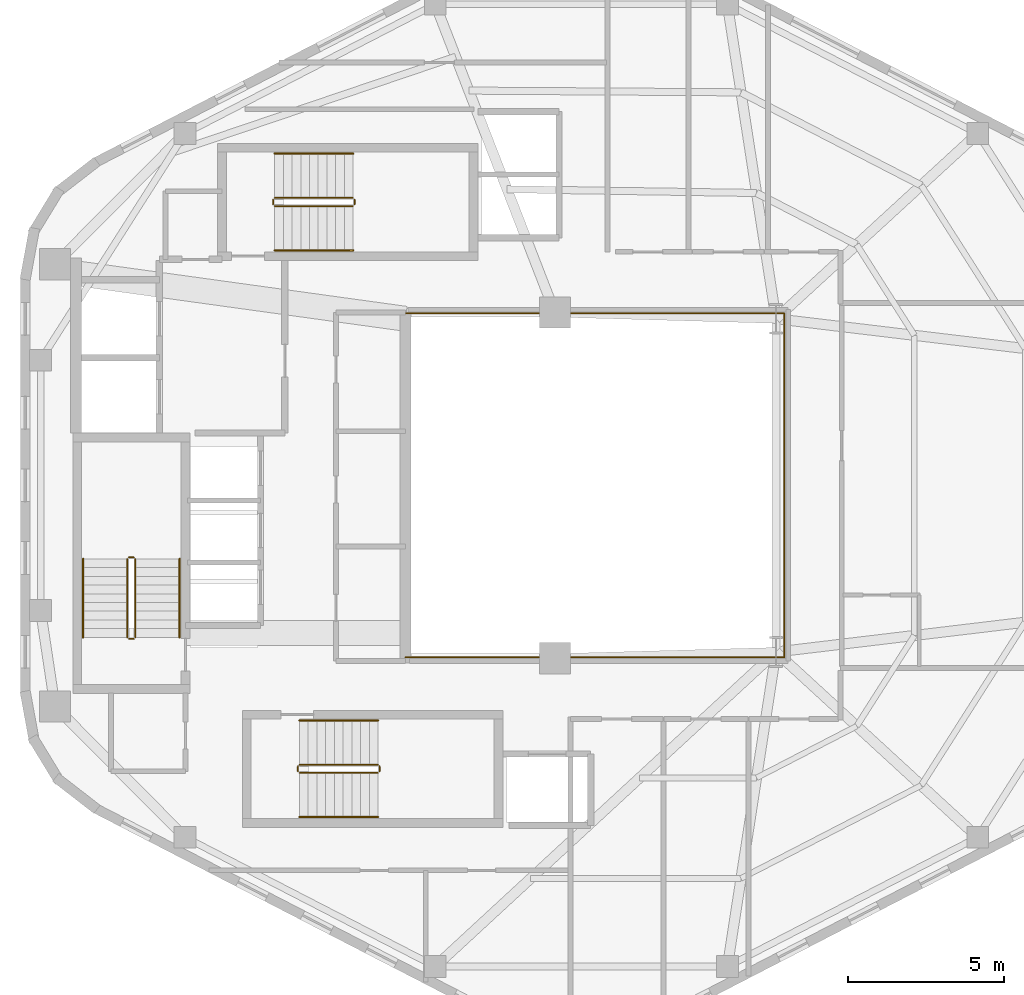
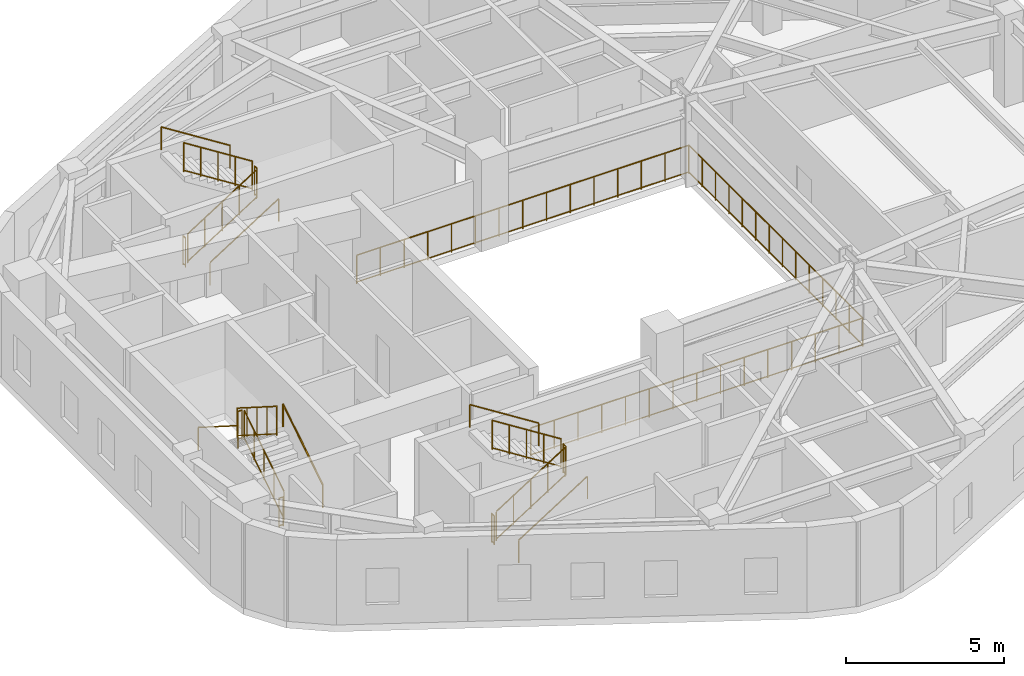
# One storey, part 6 of 6: 19 railings.
"""IFC4 building model written with IfcOpenShell, lengths in metres."""

import ifcopenshell
import ifcopenshell.guid

model = None  # the IFC model being written
_history = None  # IfcOwnerHistory: only IFC2X3 demands one
_inside = {}  # id of a spatial element -> (the spatial element, [elements in it])
_under = {}  # id of a project, library or spatial element -> (it, [spatial elements below it])
_declared = {}  # id of a project -> (the project, [libraries it declares])
_typed = {}  # id of a type object -> (the type object, [elements of that type])
_made_of = {}  # id of a material, layer set ... -> (it, [elements and type objects made of it])


def new_model(schema):
    """Start an empty IFC model of exactly this schema.

    Asked for "IFC4X3", IfcOpenShell would pick the latest addendum, in which some entities
    have other attributes; the version numbers below select the first issue.
    IFC2X3 requires an IfcOwnerHistory on every rooted entity: one is made here for all.
    """
    global model, _history
    if schema == "IFC4X3":
        model = ifcopenshell.file(schema_version=(4, 3, 0, 0))
    else:
        model = ifcopenshell.file(schema=schema)
    _inside.clear()
    _under.clear()
    _declared.clear()
    _typed.clear()
    _made_of.clear()
    _history = None
    if model.schema == "IFC2X3":
        org = make("IfcOrganization", Name="unknown")
        user = make(
            "IfcPersonAndOrganization",
            ThePerson=make("IfcPerson", FamilyName="unknown"),
            TheOrganization=org,
        )
        app = make(
            "IfcApplication",
            ApplicationDeveloper=org,
            Version="unknown",
            ApplicationFullName="unknown",
            ApplicationIdentifier="unknown",
        )
        _history = make(
            "IfcOwnerHistory",
            OwningUser=user,
            OwningApplication=app,
            ChangeAction="ADDED",
            CreationDate=0,
        )
    return model


def make(cls, **values):
    """One entity of the class cls with the attributes given. An attribute that is None is left unset."""
    return model.create_entity(
        cls, **{name: value for name, value in values.items() if value is not None}
    )


def rooted(cls, **values):
    """An entity with a GlobalId (a new one), such as an element, a storey or a relation."""
    return make(cls, GlobalId=ifcopenshell.guid.new(), OwnerHistory=_history, **values)


def si_unit(unit_type, name, prefix=None):
    """IfcSIUnit, for example si_unit("LENGTHUNIT", "METRE", prefix="MILLI")."""
    return make("IfcSIUnit", UnitType=unit_type, Prefix=prefix, Name=name)


def assignment(units):
    """IfcUnitAssignment: the units of a project."""
    return None if units is None else make("IfcUnitAssignment", Units=units)


def point(xyz):
    """IfcCartesianPoint."""
    return None if xyz is None else make("IfcCartesianPoint", Coordinates=xyz)


def direction(xyz):
    """IfcDirection."""
    return None if xyz is None else make("IfcDirection", DirectionRatios=xyz)


def frame(location, z_axis=None, x_axis=None):
    """IfcAxis2Placement3D, a coordinate frame: its origin and axes. An axis left out is left unset."""
    return make(
        "IfcAxis2Placement3D",
        Location=point(location),
        Axis=direction(z_axis),
        RefDirection=direction(x_axis),
    )


def frame_2d(location, x_axis=None):
    """IfcAxis2Placement2D, a coordinate frame in the plane: its origin and x axis."""
    return make(
        "IfcAxis2Placement2D", Location=point(location), RefDirection=direction(x_axis)
    )


def origin():
    """The frame at (0, 0, 0) with its axes left unset."""
    return frame((0.0, 0.0, 0.0))


def origin_2d():
    """The frame at (0, 0) in the plane with its x axis left unset."""
    return frame_2d((0.0, 0.0))


def place(relative_to, where):
    """IfcLocalPlacement: puts the frame where relative to a parent placement (None: the world)."""
    return make(
        "IfcLocalPlacement", PlacementRelTo=relative_to, RelativePlacement=where
    )


def context(
    kind, dimensions, precision=None, world=None, true_north=None, identifier=None
):
    """IfcGeometricRepresentationContext, for example the 3D "Model" context."""
    return make(
        "IfcGeometricRepresentationContext",
        ContextIdentifier=identifier,
        ContextType=kind,
        CoordinateSpaceDimension=dimensions,
        Precision=precision,
        WorldCoordinateSystem=world,
        TrueNorth=true_north,
    )


def subcontext(parent, identifier, kind, view, scale=None):
    """IfcGeometricRepresentationSubContext, for example "Body" below "Model"."""
    return make(
        "IfcGeometricRepresentationSubContext",
        ContextIdentifier=identifier,
        ContextType=kind,
        ParentContext=parent,
        TargetScale=scale,
        TargetView=view,
    )


def project(units=None, contexts=None):
    """IfcProject with its units and contexts."""
    return rooted(
        "IfcProject",
        Name="project",
        RepresentationContexts=contexts,
        UnitsInContext=assignment(units),
    )


def spatial(cls, under=None, at=None, **own):
    """A site, building, storey or space (cls), placed at a placement, below another one or the project."""
    s = rooted(cls, ObjectPlacement=at, **own)
    if under is not None:
        _under.setdefault(under.id(), (under, []))[1].append(s)
    return s


def profile(cls, at=None, kind="AREA", **sizes):
    """A parametric profile (cls). Its sizes go by their IFC names, for example OverallWidth=200.0."""
    return make(cls, ProfileType=kind, Position=at, **sizes)


def circle(**sizes):
    """IfcCircleProfileDef."""
    return profile("IfcCircleProfileDef", **sizes)


def extrude(swept, where, along, depth):
    """IfcExtrudedAreaSolid: the profile swept, set in the frame where, extruded along a direction by depth."""
    return make(
        "IfcExtrudedAreaSolid",
        SweptArea=swept,
        Position=where,
        ExtrudedDirection=direction(along),
        Depth=depth,
    )


def shape(context_of_items, identifier, shape_type, items):
    """IfcShapeRepresentation: the items that make up one representation, for example the "Body"."""
    return make(
        "IfcShapeRepresentation",
        ContextOfItems=context_of_items,
        RepresentationIdentifier=identifier,
        RepresentationType=shape_type,
        Items=items,
    )


def material(Name=None, Category=None):
    """IfcMaterial."""
    return make("IfcMaterial", Name=Name, Category=Category)


def made_of(thing, what):
    """Note that an element or type object is made of a material, layer set ...; save() writes the relation."""
    if what is not None:
        _made_of.setdefault(what.id(), (what, []))[1].append(thing)
    return thing


def type_object(cls, material=None, **own):
    """A type object (cls), such as IfcWallType, which elements share."""
    return made_of(rooted(cls, **own), material)


def element(
    cls,
    number,
    at=None,
    inside=None,
    cuts=None,
    type_object=None,
    material=None,
    context=None,
    identifier="Body",
    shape_type=None,
    held_by="IfcProductDefinitionShape",
    body=None,
    shapes=None,
    **own,
):
    """One element of the class cls, such as IfcWall. Its Tag is "e" and its number.

    at: its placement. inside: the storey or other place that contains it. cuts: it is an
    opening in that element (IfcRelVoidsElement). A single representation is given by context,
    identifier, shape_type and body (its items); several are given by shapes. held_by: the class
    of the entity that holds the representations. save() writes the other relations.
    """
    e = rooted(cls, Tag="e%d" % number, ObjectPlacement=at, **own)
    if body is not None:
        shapes = [shape(context, identifier, shape_type, body)]
    if shapes is not None:
        e.Representation = make(held_by, Representations=shapes)
    if inside is not None:
        _inside.setdefault(inside.id(), (inside, []))[1].append(e)
    if cuts is not None:
        rooted(
            "IfcRelVoidsElement", RelatingBuildingElement=cuts, RelatedOpeningElement=e
        )
    if type_object is not None:
        _typed.setdefault(type_object.id(), (type_object, []))[1].append(e)
    return made_of(e, material)


def aggregate(whole, parts):
    """IfcRelAggregates: a whole, such as a stair, and the parts it consists of."""
    return rooted("IfcRelAggregates", RelatingObject=whole, RelatedObjects=parts)


def save(model, path):
    """Write the relations noted so far, then the file.

    IfcRelAggregates (storeys below a building ...), IfcRelContainedInSpatialStructure (elements
    in a storey), IfcRelDefinesByType, IfcRelAssociatesMaterial and IfcRelDeclares: one each for
    every whole, place, type object, material and project.
    """
    for whole, parts in _under.values():
        aggregate(whole, parts)
    for where, things in _inside.values():
        rooted(
            "IfcRelContainedInSpatialStructure",
            RelatedElements=things,
            RelatingStructure=where,
        )
    for kind, things in _typed.values():
        rooted("IfcRelDefinesByType", RelatedObjects=things, RelatingType=kind)
    for what, things in _made_of.values():
        rooted("IfcRelAssociatesMaterial", RelatedObjects=things, RelatingMaterial=what)
    for by, libraries in _declared.values():
        rooted("IfcRelDeclares", RelatingContext=by, RelatedDefinitions=libraries)
    model.write(path)


model = new_model("IFC4")

# Units and contexts
model_context = context("Model", 3, precision=1e-05, world=origin(), true_north=direction((0.0, 1.0)))
body_context = subcontext(model_context, "Body", "Model", "MODEL_VIEW")
ifc_project = project(units=[si_unit("LENGTHUNIT", "METRE"), si_unit("AREAUNIT", "SQUARE_METRE"), si_unit("VOLUMEUNIT", "CUBIC_METRE"), si_unit("PLANEANGLEUNIT", "RADIAN"), si_unit("MASSUNIT", "GRAM", prefix="KILO"), si_unit("THERMODYNAMICTEMPERATUREUNIT", "KELVIN"), si_unit("POWERUNIT", "WATT")], contexts=[model_context])

# Site, building, storey
site_placement = place(None, origin())
site = spatial("IfcSite", under=ifc_project, at=site_placement, CompositionType="ELEMENT")
building_placement = place(site_placement, origin())
building = spatial("IfcBuilding", under=site, at=building_placement, Name="Skarre Station Tower", CompositionType="ELEMENT")
storey_placement = place(building_placement, frame((0.0, 0.0, 259.64990234375)))
storey = spatial("IfcBuildingStorey", under=building, at=storey_placement, Name="L71", CompositionType="ELEMENT", Elevation=259.64990234375)

# Railings
ifc_material_1 = material(Name="Bronze Anodized Steel & Laminated Glass Balustrade", Category="steel")
railing_type_1 = type_object("IfcRailingType", Name="Atrium Void & Mezzanine Guard Balustrade 1120", PredefinedType="GUARDRAIL", material=ifc_material_1)
railing_1_placement = place(storey_placement, frame((27.550048828125, 18.47998046875, 0.0)))
element("IfcRailing", 1, at=railing_1_placement, inside=storey, type_object=railing_type_1, Name="L71 Atrium Void Guard Balustrade", PredefinedType="GUARDRAIL", context=body_context, shape_type="SweptSolid", body=[
    extrude(circle(Radius=0.02392578125, at=origin_2d()), frame((0.0, 0.0, 1.09619140625), z_axis=(1.0, 0.0, 0.0), x_axis=(0.0, 1.0, 0.0)), (0.0, 0.0, 1.0), 12.169921875),
    extrude(circle(Radius=0.02099609375, at=origin_2d()), frame((0.0, 0.0, 0.06005859375), z_axis=(1.0, 0.0, 0.0), x_axis=(0.0, 1.0, 0.0)), (0.0, 0.0, 1.0), 12.169921875),
    extrude(circle(Radius=0.02392578125, at=origin_2d()), frame((12.169921875, 0.0, 1.09619140625), z_axis=(0.0, 1.0, 0.0), x_axis=(-1.0, 0.0, 0.0)), (0.0, 0.0, 1.0), 11.0400390625),
    extrude(circle(Radius=0.02099609375, at=origin_2d()), frame((12.169921875, 0.0, 0.06005859375), z_axis=(0.0, 1.0, 0.0), x_axis=(-1.0, 0.0, 0.0)), (0.0, 0.0, 1.0), 11.0400390625),
    extrude(circle(Radius=0.02392578125, at=origin_2d()), frame((12.169921875, 11.0400390625, 1.09619140625), z_axis=(-1.0, 0.0, 0.0), x_axis=(0.0, -1.0, 0.0)), (0.0, 0.0, 1.0), 12.169921875),
    extrude(circle(Radius=0.02099609375, at=origin_2d()), frame((12.169921875, 11.0400390625, 0.06005859375), z_axis=(-1.0, 0.0, 0.0), x_axis=(0.0, -1.0, 0.0)), (0.0, 0.0, 1.0), 12.169921875),
    extrude(circle(Radius=0.02099609375, at=origin_2d()), origin(), (0.0, 0.0, 1.0), 1.072021484375),
    extrude(circle(Radius=0.02099609375, at=origin_2d()), frame((0.869384765625, 0.0, 0.0)), (0.0, 0.0, 1.0), 1.072021484375),
    extrude(circle(Radius=0.02099609375, at=origin_2d()), frame((1.738525390625, 0.0, 0.0)), (0.0, 0.0, 1.0), 1.072021484375),
    extrude(circle(Radius=0.02099609375, at=origin_2d()), frame((2.60791015625, 0.0, 0.0)), (0.0, 0.0, 1.0), 1.072021484375),
    extrude(circle(Radius=0.02099609375, at=origin_2d()), frame((3.47705078125, 0.0, 0.0)), (0.0, 0.0, 1.0), 1.072021484375),
    extrude(circle(Radius=0.02099609375, at=origin_2d()), frame((4.346435546875, 0.0, 0.0)), (0.0, 0.0, 1.0), 1.072021484375),
    extrude(circle(Radius=0.02099609375, at=origin_2d()), frame((5.215576171875, 0.0, 0.0)), (0.0, 0.0, 1.0), 1.072021484375),
    extrude(circle(Radius=0.02099609375, at=origin_2d()), frame((6.0849609375, 0.0, 0.0)), (0.0, 0.0, 1.0), 1.072021484375),
    extrude(circle(Radius=0.02099609375, at=origin_2d()), frame((6.954345703125, 0.0, 0.0)), (0.0, 0.0, 1.0), 1.072021484375),
    extrude(circle(Radius=0.02099609375, at=origin_2d()), frame((7.823486328125, 0.0, 0.0)), (0.0, 0.0, 1.0), 1.072021484375),
    extrude(circle(Radius=0.02099609375, at=origin_2d()), frame((8.69287109375, 0.0, 0.0)), (0.0, 0.0, 1.0), 1.072021484375),
    extrude(circle(Radius=0.02099609375, at=origin_2d()), frame((9.56201171875, 0.0, 0.0)), (0.0, 0.0, 1.0), 1.072021484375),
    extrude(circle(Radius=0.02099609375, at=origin_2d()), frame((10.431396484375, 0.0, 0.0)), (0.0, 0.0, 1.0), 1.072021484375),
    extrude(circle(Radius=0.02099609375, at=origin_2d()), frame((11.300537109375, 0.0, 0.0)), (0.0, 0.0, 1.0), 1.072021484375),
    extrude(circle(Radius=0.02099609375, at=origin_2d()), frame((12.169921875, 0.0, 0.0)), (0.0, 0.0, 1.0), 1.072021484375),
    extrude(circle(Radius=0.02099609375, at=origin_2d()), frame((12.169921875, 0.84912109375, 0.0)), (0.0, 0.0, 1.0), 1.072021484375),
    extrude(circle(Radius=0.02099609375, at=origin_2d()), frame((12.169921875, 1.698486328125, 0.0)), (0.0, 0.0, 1.0), 1.072021484375),
    extrude(circle(Radius=0.02099609375, at=origin_2d()), frame((12.169921875, 2.547607421875, 0.0)), (0.0, 0.0, 1.0), 1.072021484375),
    extrude(circle(Radius=0.02099609375, at=origin_2d()), frame((12.169921875, 3.39697265625, 0.0)), (0.0, 0.0, 1.0), 1.072021484375),
    extrude(circle(Radius=0.02099609375, at=origin_2d()), frame((12.169921875, 4.24609375, 0.0)), (0.0, 0.0, 1.0), 1.072021484375),
    extrude(circle(Radius=0.02099609375, at=origin_2d()), frame((12.169921875, 5.095458984375, 0.0)), (0.0, 0.0, 1.0), 1.072021484375),
    extrude(circle(Radius=0.02099609375, at=origin_2d()), frame((12.169921875, 5.944580078125, 0.0)), (0.0, 0.0, 1.0), 1.072021484375),
    extrude(circle(Radius=0.02099609375, at=origin_2d()), frame((12.169921875, 6.7939453125, 0.0)), (0.0, 0.0, 1.0), 1.072021484375),
    extrude(circle(Radius=0.02099609375, at=origin_2d()), frame((12.169921875, 7.64306640625, 0.0)), (0.0, 0.0, 1.0), 1.072021484375),
    extrude(circle(Radius=0.02099609375, at=origin_2d()), frame((12.169921875, 8.492431640625, 0.0)), (0.0, 0.0, 1.0), 1.072021484375),
    extrude(circle(Radius=0.02099609375, at=origin_2d()), frame((12.169921875, 9.341552734375, 0.0)), (0.0, 0.0, 1.0), 1.072021484375),
    extrude(circle(Radius=0.02099609375, at=origin_2d()), frame((12.169921875, 10.19091796875, 0.0)), (0.0, 0.0, 1.0), 1.072021484375),
    extrude(circle(Radius=0.02099609375, at=origin_2d()), frame((12.169921875, 11.0400390625, 0.0)), (0.0, 0.0, 1.0), 1.072021484375),
    extrude(circle(Radius=0.02099609375, at=origin_2d()), frame((11.300537109375, 11.0400390625, 0.0)), (0.0, 0.0, 1.0), 1.072021484375),
    extrude(circle(Radius=0.02099609375, at=origin_2d()), frame((10.431396484375, 11.0400390625, 0.0)), (0.0, 0.0, 1.0), 1.072021484375),
    extrude(circle(Radius=0.02099609375, at=origin_2d()), frame((9.56201171875, 11.0400390625, 0.0)), (0.0, 0.0, 1.0), 1.072021484375),
    extrude(circle(Radius=0.02099609375, at=origin_2d()), frame((8.69287109375, 11.0400390625, 0.0)), (0.0, 0.0, 1.0), 1.072021484375),
    extrude(circle(Radius=0.02099609375, at=origin_2d()), frame((7.823486328125, 11.0400390625, 0.0)), (0.0, 0.0, 1.0), 1.072021484375),
    extrude(circle(Radius=0.02099609375, at=origin_2d()), frame((6.954345703125, 11.0400390625, 0.0)), (0.0, 0.0, 1.0), 1.072021484375),
    extrude(circle(Radius=0.02099609375, at=origin_2d()), frame((6.0849609375, 11.0400390625, 0.0)), (0.0, 0.0, 1.0), 1.072021484375),
    extrude(circle(Radius=0.02099609375, at=origin_2d()), frame((5.215576171875, 11.0400390625, 0.0)), (0.0, 0.0, 1.0), 1.072021484375),
    extrude(circle(Radius=0.02099609375, at=origin_2d()), frame((4.346435546875, 11.0400390625, 0.0)), (0.0, 0.0, 1.0), 1.072021484375),
    extrude(circle(Radius=0.02099609375, at=origin_2d()), frame((3.47705078125, 11.0400390625, 0.0)), (0.0, 0.0, 1.0), 1.072021484375),
    extrude(circle(Radius=0.02099609375, at=origin_2d()), frame((2.60791015625, 11.0400390625, 0.0)), (0.0, 0.0, 1.0), 1.072021484375),
    extrude(circle(Radius=0.02099609375, at=origin_2d()), frame((1.738525390625, 11.0400390625, 0.0)), (0.0, 0.0, 1.0), 1.072021484375),
    extrude(circle(Radius=0.02099609375, at=origin_2d()), frame((0.869384765625, 11.0400390625, 0.0)), (0.0, 0.0, 1.0), 1.072021484375),
    extrude(circle(Radius=0.02099609375, at=origin_2d()), frame((0.0, 11.0400390625, 0.0)), (0.0, 0.0, 1.0), 1.072021484375),
])
ifc_material_2 = material(Name="Powder-Coated Tubular Steel", Category="steel")
railing_type_2 = type_object("IfcRailingType", Name="Painted Steel Ramp & Stair Handrail 920", PredefinedType="HANDRAIL", material=ifc_material_2)
railing_2_placement = place(storey_placement, frame((20.300048828125, 19.1201171875, 0.177490234375)))
element("IfcRailing", 2, at=railing_2_placement, inside=storey, type_object=railing_type_2, Name="L71 ST-1 stair handrail 1", PredefinedType="HANDRAIL", context=body_context, shape_type="SweptSolid", body=[
    extrude(circle(Radius=0.02392578125, at=origin_2d()), frame((0.0, 0.0, 0.8759765625), z_axis=(0.0, 0.844546487299, 0.535482241341), x_axis=(-1.0, 0.0, 0.0)), (0.0, 0.0, 1.0), 2.983642578125),
    extrude(circle(Radius=0.02099609375, at=origin_2d()), origin(), (0.0, 0.0, 1.0), 0.851806640625),
    extrude(circle(Radius=0.02099609375, at=origin_2d()), frame((0.0, 2.519775390625, 1.59765625)), (0.0, 0.0, 1.0), 0.851806640625),
])
railing_3_placement = place(storey_placement, frame((17.199951171875, 21.639892578125, 1.95263671875)))
element("IfcRailing", 3, at=railing_3_placement, inside=storey, type_object=railing_type_2, Name="L71 ST-1 stair handrail 2", PredefinedType="HANDRAIL", context=body_context, shape_type="SweptSolid", body=[
    extrude(circle(Radius=0.02392578125, at=origin_2d()), frame((0.0, 0.0, 0.8759765625), z_axis=(0.0, -0.844583492756, 0.535423872987), x_axis=(1.0, 0.0, 0.0)), (0.0, 0.0, 1.0), 2.9833984375),
    extrude(circle(Radius=0.02099609375, at=origin_2d()), origin(), (0.0, 0.0, 1.0), 0.851806640625),
    extrude(circle(Radius=0.02099609375, at=origin_2d()), frame((0.0, -2.519775390625, 1.597412109375)), (0.0, 0.0, 1.0), 0.851806640625),
])
railing_4_placement = place(storey_placement, frame((24.14990234375, 13.35009765625, 0.177490234375)))
element("IfcRailing", 4, at=railing_4_placement, inside=storey, type_object=railing_type_2, Name="L71 ST-2 stair handrail 1", PredefinedType="HANDRAIL", context=body_context, shape_type="SweptSolid", body=[
    extrude(circle(Radius=0.02392578125, at=origin_2d()), frame((0.0, 0.0, 0.8759765625), z_axis=(0.84456994832, 0.0, 0.535445237532), x_axis=(0.0, 1.0, 0.0)), (0.0, 0.0, 1.0), 2.98388671875),
    extrude(circle(Radius=0.02099609375, at=origin_2d()), origin(), (0.0, 0.0, 1.0), 0.851806640625),
    extrude(circle(Radius=0.02099609375, at=origin_2d()), frame((2.52001953125, 0.0, 1.59765625)), (0.0, 0.0, 1.0), 0.851806640625),
])
railing_5_placement = place(storey_placement, frame((26.669921875, 16.449951171875, 1.95263671875)))
element("IfcRailing", 5, at=railing_5_placement, inside=storey, type_object=railing_type_2, Name="L71 ST-2 stair handrail 2", PredefinedType="HANDRAIL", context=body_context, shape_type="SweptSolid", body=[
    extrude(circle(Radius=0.02392578125, at=origin_2d()), frame((0.0, 0.0, 0.8759765625), z_axis=(-0.84460694969, 0.0, 0.535386869969), x_axis=(0.0, -1.0, 0.0)), (0.0, 0.0, 1.0), 2.983642578125),
    extrude(circle(Radius=0.02099609375, at=origin_2d()), origin(), (0.0, 0.0, 1.0), 0.851806640625),
    extrude(circle(Radius=0.02099609375, at=origin_2d()), frame((-2.52001953125, 0.0, 1.597412109375)), (0.0, 0.0, 1.0), 0.851806640625),
])
railing_6_placement = place(storey_placement, frame((23.35009765625, 31.550048828125, 0.177490234375)))
element("IfcRailing", 6, at=railing_6_placement, inside=storey, type_object=railing_type_2, Name="L71 ST-3 stair handrail 1", PredefinedType="HANDRAIL", context=body_context, shape_type="SweptSolid", body=[
    extrude(circle(Radius=0.02392578125, at=origin_2d()), frame((0.0, 0.0, 0.8759765625), z_axis=(0.84456994832, 0.0, 0.535445237532), x_axis=(0.0, 1.0, 0.0)), (0.0, 0.0, 1.0), 2.98388671875),
    extrude(circle(Radius=0.02099609375, at=origin_2d()), origin(), (0.0, 0.0, 1.0), 0.851806640625),
    extrude(circle(Radius=0.02099609375, at=origin_2d()), frame((2.52001953125, 0.0, 1.59765625)), (0.0, 0.0, 1.0), 0.851806640625),
])
railing_7_placement = place(storey_placement, frame((25.8701171875, 34.64990234375, 1.95263671875)))
element("IfcRailing", 7, at=railing_7_placement, inside=storey, type_object=railing_type_2, Name="L71 ST-3 stair handrail 2", PredefinedType="HANDRAIL", context=body_context, shape_type="SweptSolid", body=[
    extrude(circle(Radius=0.02392578125, at=origin_2d()), frame((0.0, 0.0, 0.8759765625), z_axis=(-0.84460694969, 0.0, 0.535386869969), x_axis=(0.0, -1.0, 0.0)), (0.0, 0.0, 1.0), 2.983642578125),
    extrude(circle(Radius=0.02099609375, at=origin_2d()), origin(), (0.0, 0.0, 1.0), 0.851806640625),
    extrude(circle(Radius=0.02099609375, at=origin_2d()), frame((-2.52001953125, 0.0, 1.597412109375)), (0.0, 0.0, 1.0), 0.851806640625),
])
railing_type_3 = type_object("IfcRailingType", Name="Painted Steel Stairwell Guardrail 1100", PredefinedType="GUARDRAIL", material=ifc_material_2)
railing_8_placement = place(storey_placement, frame((18.8798828125, 19.1201171875, 0.177490234375)))
element("IfcRailing", 8, at=railing_8_placement, inside=storey, type_object=railing_type_3, Name="L71 ST-1 stair guard 1", PredefinedType="GUARDRAIL", context=body_context, shape_type="SweptSolid", body=[
    extrude(circle(Radius=0.02392578125, at=origin_2d()), frame((0.0, 0.0, 1.1259765625), z_axis=(0.0, 0.844546487299, 0.535482241341), x_axis=(-1.0, 0.0, 0.0)), (0.0, 0.0, 1.0), 2.983642578125),
    extrude(circle(Radius=0.02099609375, at=origin_2d()), frame((0.0, 0.0, 0.06005859375), z_axis=(0.0, 0.844546487299, 0.535482241341), x_axis=(-1.0, 0.0, 0.0)), (0.0, 0.0, 1.0), 2.983642578125),
    extrude(circle(Radius=0.02099609375, at=origin_2d()), origin(), (0.0, 0.0, 1.0), 1.101806640625),
    extrude(circle(Radius=0.02099609375, at=origin_2d()), frame((0.0, 0.6298828125, 0.3994140625)), (0.0, 0.0, 1.0), 1.101806640625),
    extrude(circle(Radius=0.02099609375, at=origin_2d()), frame((0.0, 1.259765625, 0.798828125)), (0.0, 0.0, 1.0), 1.101806640625),
    extrude(circle(Radius=0.02099609375, at=origin_2d()), frame((0.0, 1.889892578125, 1.1982421875)), (0.0, 0.0, 1.0), 1.101806640625),
    extrude(circle(Radius=0.02099609375, at=origin_2d()), frame((0.0, 2.519775390625, 1.59765625)), (0.0, 0.0, 1.0), 1.101806640625),
])
railing_9_placement = place(storey_placement, frame((18.830078125, 21.68994140625, 1.775146484375)))
element("IfcRailing", 9, at=railing_9_placement, inside=storey, type_object=railing_type_3, Name="L71 ST-1 stair guard 2", PredefinedType="GUARDRAIL", context=body_context, shape_type="SweptSolid", body=[
    extrude(circle(Radius=0.02392578125, at=origin_2d()), frame((0.0, 0.0, 1.1259765625), z_axis=(-1.0, 0.0, 0.0), x_axis=(0.0, -1.0, 0.0)), (0.0, 0.0, 1.0), 0.16015625),
    extrude(circle(Radius=0.02099609375, at=origin_2d()), frame((0.0, 0.0, 0.06005859375), z_axis=(-1.0, 0.0, 0.0), x_axis=(0.0, -1.0, 0.0)), (0.0, 0.0, 1.0), 0.16015625),
    extrude(circle(Radius=0.02099609375, at=origin_2d()), origin(), (0.0, 0.0, 1.0), 1.101806640625),
    extrude(circle(Radius=0.02099609375, at=origin_2d()), frame((-0.16015625, 0.0, 0.0)), (0.0, 0.0, 1.0), 1.101806640625),
])
railing_10_placement = place(storey_placement, frame((18.6201171875, 21.639892578125, 1.95263671875)))
element("IfcRailing", 10, at=railing_10_placement, inside=storey, type_object=railing_type_3, Name="L71 ST-1 stair guard 3", PredefinedType="GUARDRAIL", context=body_context, shape_type="SweptSolid", body=[
    extrude(circle(Radius=0.02392578125, at=origin_2d()), frame((0.0, 0.0, 1.1259765625), z_axis=(0.0, -0.844583492756, 0.535423872987), x_axis=(1.0, 0.0, 0.0)), (0.0, 0.0, 1.0), 2.9833984375),
    extrude(circle(Radius=0.02099609375, at=origin_2d()), frame((0.0, 0.0, 0.06005859375), z_axis=(0.0, -0.844583492756, 0.535423872987), x_axis=(1.0, 0.0, 0.0)), (0.0, 0.0, 1.0), 2.9833984375),
    extrude(circle(Radius=0.02099609375, at=origin_2d()), origin(), (0.0, 0.0, 1.0), 1.101806640625),
    extrude(circle(Radius=0.02099609375, at=origin_2d()), frame((0.0, -0.6298828125, 0.3994140625)), (0.0, 0.0, 1.0), 1.101806640625),
    extrude(circle(Radius=0.02099609375, at=origin_2d()), frame((0.0, -1.259765625, 0.798828125)), (0.0, 0.0, 1.0), 1.101806640625),
    extrude(circle(Radius=0.02099609375, at=origin_2d()), frame((0.0, -1.889892578125, 1.197998046875)), (0.0, 0.0, 1.0), 1.101806640625),
    extrude(circle(Radius=0.02099609375, at=origin_2d()), frame((0.0, -2.519775390625, 1.597412109375)), (0.0, 0.0, 1.0), 1.101806640625),
])
railing_11_placement = place(storey_placement, frame((18.830078125, 19.070068359375, 0.0)))
element("IfcRailing", 11, at=railing_11_placement, inside=storey, type_object=railing_type_3, Name="L71 ST-1 stair guard 4", PredefinedType="GUARDRAIL", context=body_context, shape_type="SweptSolid", body=[
    extrude(circle(Radius=0.02392578125, at=origin_2d()), frame((0.0, 0.0, 1.1259765625), z_axis=(-1.0, 0.0, 0.0), x_axis=(0.0, -1.0, 0.0)), (0.0, 0.0, 1.0), 0.16015625),
    extrude(circle(Radius=0.02099609375, at=origin_2d()), frame((0.0, 0.0, 0.06005859375), z_axis=(-1.0, 0.0, 0.0), x_axis=(0.0, -1.0, 0.0)), (0.0, 0.0, 1.0), 0.16015625),
    extrude(circle(Radius=0.02099609375, at=origin_2d()), origin(), (0.0, 0.0, 1.0), 1.101806640625),
    extrude(circle(Radius=0.02099609375, at=origin_2d()), frame((-0.16015625, 0.0, 0.0)), (0.0, 0.0, 1.0), 1.101806640625),
])
railing_12_placement = place(storey_placement, frame((24.14990234375, 14.77001953125, 0.177490234375)))
element("IfcRailing", 12, at=railing_12_placement, inside=storey, type_object=railing_type_3, Name="L71 ST-2 stair guard 1", PredefinedType="GUARDRAIL", context=body_context, shape_type="SweptSolid", body=[
    extrude(circle(Radius=0.02392578125, at=origin_2d()), frame((0.0, 0.0, 1.1259765625), z_axis=(0.84456994832, 0.0, 0.535445237532), x_axis=(0.0, 1.0, 0.0)), (0.0, 0.0, 1.0), 2.98388671875),
    extrude(circle(Radius=0.02099609375, at=origin_2d()), frame((0.0, 0.0, 0.06005859375), z_axis=(0.84456994832, 0.0, 0.535445237532), x_axis=(0.0, 1.0, 0.0)), (0.0, 0.0, 1.0), 2.98388671875),
    extrude(circle(Radius=0.02099609375, at=origin_2d()), origin(), (0.0, 0.0, 1.0), 1.101806640625),
    extrude(circle(Radius=0.02099609375, at=origin_2d()), frame((0.6298828125, 0.0, 0.3994140625)), (0.0, 0.0, 1.0), 1.101806640625),
    extrude(circle(Radius=0.02099609375, at=origin_2d()), frame((1.260009765625, 0.0, 0.798828125)), (0.0, 0.0, 1.0), 1.101806640625),
    extrude(circle(Radius=0.02099609375, at=origin_2d()), frame((1.89013671875, 0.0, 1.1982421875)), (0.0, 0.0, 1.0), 1.101806640625),
    extrude(circle(Radius=0.02099609375, at=origin_2d()), frame((2.52001953125, 0.0, 1.59765625)), (0.0, 0.0, 1.0), 1.101806640625),
])
railing_13_placement = place(storey_placement, frame((26.719970703125, 14.820068359375, 1.775146484375)))
element("IfcRailing", 13, at=railing_13_placement, inside=storey, type_object=railing_type_3, Name="L71 ST-2 stair guard 2", PredefinedType="GUARDRAIL", context=body_context, shape_type="SweptSolid", body=[
    extrude(circle(Radius=0.02392578125, at=origin_2d()), frame((0.0, 0.0, 1.1259765625), z_axis=(0.0, 1.0, 0.0), x_axis=(-1.0, 0.0, 0.0)), (0.0, 0.0, 1.0), 0.159912109375),
    extrude(circle(Radius=0.02099609375, at=origin_2d()), frame((0.0, 0.0, 0.06005859375), z_axis=(0.0, 1.0, 0.0), x_axis=(-1.0, 0.0, 0.0)), (0.0, 0.0, 1.0), 0.159912109375),
    extrude(circle(Radius=0.02099609375, at=origin_2d()), origin(), (0.0, 0.0, 1.0), 1.101806640625),
    extrude(circle(Radius=0.02099609375, at=origin_2d()), frame((0.0, 0.159912109375, 0.0)), (0.0, 0.0, 1.0), 1.101806640625),
])
railing_14_placement = place(storey_placement, frame((26.669921875, 15.030029296875, 1.95263671875)))
element("IfcRailing", 14, at=railing_14_placement, inside=storey, type_object=railing_type_3, Name="L71 ST-2 stair guard 3", PredefinedType="GUARDRAIL", context=body_context, shape_type="SweptSolid", body=[
    extrude(circle(Radius=0.02392578125, at=origin_2d()), frame((0.0, 0.0, 1.1259765625), z_axis=(-0.84460694969, 0.0, 0.535386869969), x_axis=(0.0, -1.0, 0.0)), (0.0, 0.0, 1.0), 2.983642578125),
    extrude(circle(Radius=0.02099609375, at=origin_2d()), frame((0.0, 0.0, 0.06005859375), z_axis=(-0.84460694969, 0.0, 0.535386869969), x_axis=(0.0, -1.0, 0.0)), (0.0, 0.0, 1.0), 2.983642578125),
    extrude(circle(Radius=0.02099609375, at=origin_2d()), origin(), (0.0, 0.0, 1.0), 1.101806640625),
    extrude(circle(Radius=0.02099609375, at=origin_2d()), frame((-0.6298828125, 0.0, 0.3994140625)), (0.0, 0.0, 1.0), 1.101806640625),
    extrude(circle(Radius=0.02099609375, at=origin_2d()), frame((-1.260009765625, 0.0, 0.798828125)), (0.0, 0.0, 1.0), 1.101806640625),
    extrude(circle(Radius=0.02099609375, at=origin_2d()), frame((-1.89013671875, 0.0, 1.197998046875)), (0.0, 0.0, 1.0), 1.101806640625),
    extrude(circle(Radius=0.02099609375, at=origin_2d()), frame((-2.52001953125, 0.0, 1.597412109375)), (0.0, 0.0, 1.0), 1.101806640625),
])
railing_15_placement = place(storey_placement, frame((24.10009765625, 14.820068359375, 0.0)))
element("IfcRailing", 15, at=railing_15_placement, inside=storey, type_object=railing_type_3, Name="L71 ST-2 stair guard 4", PredefinedType="GUARDRAIL", context=body_context, shape_type="SweptSolid", body=[
    extrude(circle(Radius=0.02392578125, at=origin_2d()), frame((0.0, 0.0, 1.1259765625), z_axis=(0.0, 1.0, 0.0), x_axis=(-1.0, 0.0, 0.0)), (0.0, 0.0, 1.0), 0.159912109375),
    extrude(circle(Radius=0.02099609375, at=origin_2d()), frame((0.0, 0.0, 0.06005859375), z_axis=(0.0, 1.0, 0.0), x_axis=(-1.0, 0.0, 0.0)), (0.0, 0.0, 1.0), 0.159912109375),
    extrude(circle(Radius=0.02099609375, at=origin_2d()), origin(), (0.0, 0.0, 1.0), 1.101806640625),
    extrude(circle(Radius=0.02099609375, at=origin_2d()), frame((0.0, 0.159912109375, 0.0)), (0.0, 0.0, 1.0), 1.101806640625),
])
railing_16_placement = place(storey_placement, frame((23.35009765625, 32.969970703125, 0.177490234375)))
element("IfcRailing", 16, at=railing_16_placement, inside=storey, type_object=railing_type_3, Name="L71 ST-3 stair guard 1", PredefinedType="GUARDRAIL", context=body_context, shape_type="SweptSolid", body=[
    extrude(circle(Radius=0.02392578125, at=origin_2d()), frame((0.0, 0.0, 1.1259765625), z_axis=(0.84456994832, 0.0, 0.535445237532), x_axis=(0.0, 1.0, 0.0)), (0.0, 0.0, 1.0), 2.98388671875),
    extrude(circle(Radius=0.02099609375, at=origin_2d()), frame((0.0, 0.0, 0.06005859375), z_axis=(0.84456994832, 0.0, 0.535445237532), x_axis=(0.0, 1.0, 0.0)), (0.0, 0.0, 1.0), 2.98388671875),
    extrude(circle(Radius=0.02099609375, at=origin_2d()), origin(), (0.0, 0.0, 1.0), 1.101806640625),
    extrude(circle(Radius=0.02099609375, at=origin_2d()), frame((0.6298828125, 0.0, 0.3994140625)), (0.0, 0.0, 1.0), 1.101806640625),
    extrude(circle(Radius=0.02099609375, at=origin_2d()), frame((1.260009765625, 0.0, 0.798828125)), (0.0, 0.0, 1.0), 1.101806640625),
    extrude(circle(Radius=0.02099609375, at=origin_2d()), frame((1.89013671875, 0.0, 1.1982421875)), (0.0, 0.0, 1.0), 1.101806640625),
    extrude(circle(Radius=0.02099609375, at=origin_2d()), frame((2.52001953125, 0.0, 1.59765625)), (0.0, 0.0, 1.0), 1.101806640625),
])
railing_17_placement = place(storey_placement, frame((25.919921875, 33.02001953125, 1.775146484375)))
element("IfcRailing", 17, at=railing_17_placement, inside=storey, type_object=railing_type_3, Name="L71 ST-3 stair guard 2", PredefinedType="GUARDRAIL", context=body_context, shape_type="SweptSolid", body=[
    extrude(circle(Radius=0.02392578125, at=origin_2d()), frame((0.0, 0.0, 1.1259765625), z_axis=(0.0, 1.0, 0.0), x_axis=(-1.0, 0.0, 0.0)), (0.0, 0.0, 1.0), 0.159912109375),
    extrude(circle(Radius=0.02099609375, at=origin_2d()), frame((0.0, 0.0, 0.06005859375), z_axis=(0.0, 1.0, 0.0), x_axis=(-1.0, 0.0, 0.0)), (0.0, 0.0, 1.0), 0.159912109375),
    extrude(circle(Radius=0.02099609375, at=origin_2d()), origin(), (0.0, 0.0, 1.0), 1.101806640625),
    extrude(circle(Radius=0.02099609375, at=origin_2d()), frame((0.0, 0.159912109375, 0.0)), (0.0, 0.0, 1.0), 1.101806640625),
])
railing_18_placement = place(storey_placement, frame((25.8701171875, 33.22998046875, 1.95263671875)))
element("IfcRailing", 18, at=railing_18_placement, inside=storey, type_object=railing_type_3, Name="L71 ST-3 stair guard 3", PredefinedType="GUARDRAIL", context=body_context, shape_type="SweptSolid", body=[
    extrude(circle(Radius=0.02392578125, at=origin_2d()), frame((0.0, 0.0, 1.1259765625), z_axis=(-0.84460694969, 0.0, 0.535386869969), x_axis=(0.0, -1.0, 0.0)), (0.0, 0.0, 1.0), 2.983642578125),
    extrude(circle(Radius=0.02099609375, at=origin_2d()), frame((0.0, 0.0, 0.06005859375), z_axis=(-0.84460694969, 0.0, 0.535386869969), x_axis=(0.0, -1.0, 0.0)), (0.0, 0.0, 1.0), 2.983642578125),
    extrude(circle(Radius=0.02099609375, at=origin_2d()), origin(), (0.0, 0.0, 1.0), 1.101806640625),
    extrude(circle(Radius=0.02099609375, at=origin_2d()), frame((-0.6298828125, 0.0, 0.3994140625)), (0.0, 0.0, 1.0), 1.101806640625),
    extrude(circle(Radius=0.02099609375, at=origin_2d()), frame((-1.260009765625, 0.0, 0.798828125)), (0.0, 0.0, 1.0), 1.101806640625),
    extrude(circle(Radius=0.02099609375, at=origin_2d()), frame((-1.89013671875, 0.0, 1.197998046875)), (0.0, 0.0, 1.0), 1.101806640625),
    extrude(circle(Radius=0.02099609375, at=origin_2d()), frame((-2.52001953125, 0.0, 1.597412109375)), (0.0, 0.0, 1.0), 1.101806640625),
])
railing_19_placement = place(storey_placement, frame((23.300048828125, 33.02001953125, 0.0)))
element("IfcRailing", 19, at=railing_19_placement, inside=storey, type_object=railing_type_3, Name="L71 ST-3 stair guard 4", PredefinedType="GUARDRAIL", context=body_context, shape_type="SweptSolid", body=[
    extrude(circle(Radius=0.02392578125, at=origin_2d()), frame((0.0, 0.0, 1.1259765625), z_axis=(0.0, 1.0, 0.0), x_axis=(-1.0, 0.0, 0.0)), (0.0, 0.0, 1.0), 0.159912109375),
    extrude(circle(Radius=0.02099609375, at=origin_2d()), frame((0.0, 0.0, 0.06005859375), z_axis=(0.0, 1.0, 0.0), x_axis=(-1.0, 0.0, 0.0)), (0.0, 0.0, 1.0), 0.159912109375),
    extrude(circle(Radius=0.02099609375, at=origin_2d()), origin(), (0.0, 0.0, 1.0), 1.101806640625),
    extrude(circle(Radius=0.02099609375, at=origin_2d()), frame((0.0, 0.159912109375, 0.0)), (0.0, 0.0, 1.0), 1.101806640625),
])

save(model, "model.ifc")
